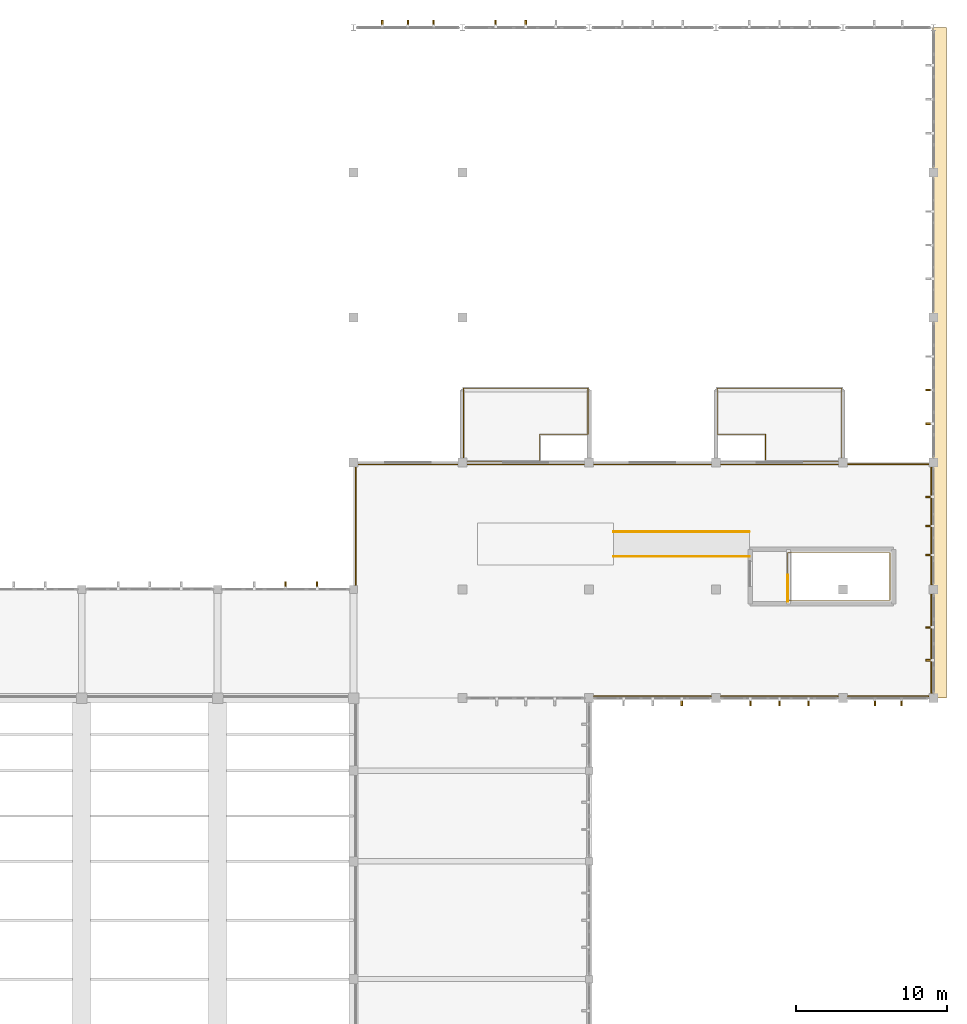
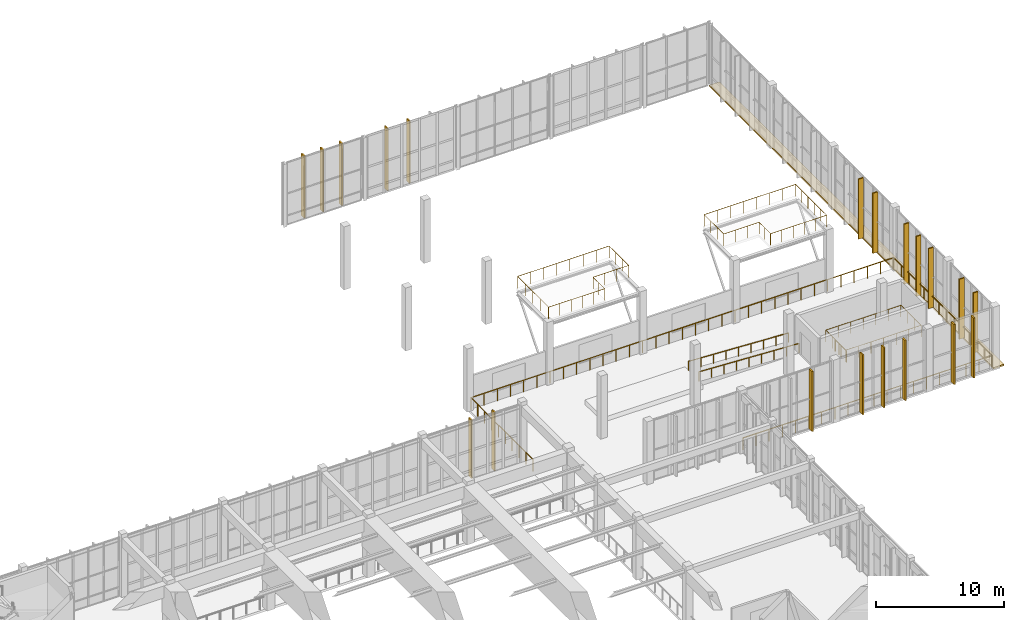
# One storey, part 104 of 105: 21 coverings, 7 railings.
"""IFC4 building model written with IfcOpenShell, lengths in metres."""

from ifc_helpers import new_model, si_unit, direction, frame, origin, origin_2d, place, context, subcontext, project, spatial, polyline, rectangle, circle, outline, extrude, material, layer, layer_set, type_object, element, save


model = new_model("IFC4")

# Units and contexts
model_context = context("Model", 3, precision=1e-05, world=origin(), true_north=direction((0.0, 1.0)))
body_context = subcontext(model_context, "Body", "Model", "MODEL_VIEW")
ifc_project = project(units=[si_unit("LENGTHUNIT", "METRE"), si_unit("AREAUNIT", "SQUARE_METRE"), si_unit("VOLUMEUNIT", "CUBIC_METRE"), si_unit("PLANEANGLEUNIT", "RADIAN"), si_unit("MASSUNIT", "GRAM", prefix="KILO")], contexts=[model_context])

# Site, building, storey
site_placement = place(None, origin())
site = spatial("IfcSite", under=ifc_project, at=site_placement, CompositionType="ELEMENT")
building_placement = place(site_placement, origin())
building = spatial("IfcBuilding", under=site, at=building_placement, Name="Tizgana Railside Sports Hall", CompositionType="ELEMENT")
storey_placement = place(building_placement, frame((0.0, 0.0, 6.0)))
storey = spatial("IfcBuildingStorey", under=building, at=storey_placement, Name="L01", CompositionType="ELEMENT", Elevation=6.0)

# Coverings
ifc_material_1 = material(Name="Glulam GL28h", Category="wood")
ifc_layer_1 = layer(ifc_material_1, 0.139892578125, Name="Glulam GL28h")
ifc_layer_set_1 = layer_set([ifc_layer_1], Name="Glulam GL28h")
covering_type_1 = type_object("IfcCoveringType", Name="Mass-Timber Brise-Soleil & Pergola Fin", PredefinedType="CLADDING", material=ifc_layer_set_1)
for number, where, z_axis, x_axis, name in (
    (1, (129.300048828125, 80.679931640625, 0.0400390625), (0.0, 0.0, 1.0), (1.0, 0.0, 0.0), "L01 Timber Brise-Soleil Fin"),
    (2, (131.385009765625, 80.679931640625, 0.0400390625), (0.0, 0.0, 1.0), (1.0, 0.0, 0.0), "L01 Timber Brise-Soleil Fin"),
):
    element("IfcCovering", number, at=place(storey_placement, frame(where, z_axis=z_axis, x_axis=x_axis)), inside=storey, type_object=covering_type_1, Name=name, PredefinedType="CLADDING", context=body_context, shape_type="SweptSolid", body=[
        extrude(rectangle(XDim=0.1201171875, YDim=0.43994140625, at=origin_2d()), origin(), (0.0, 0.0, 1.0), 5.56005859375),
    ])
for number, where, z_axis, x_axis, name in (
    (3, (135.702392578125, 117.8798828125, 0.0400390625), (0.0, 0.0, 1.0), (1.0, 0.0, 0.0), "L01 Timber Brise-Soleil Fin"),
    (4, (137.39990234375, 117.8798828125, 0.0400390625), (0.0, 0.0, 1.0), (1.0, 0.0, 0.0), "L01 Timber Brise-Soleil Fin"),
    (5, (139.097412109375, 117.8798828125, 0.0400390625), (0.0, 0.0, 1.0), (1.0, 0.0, 0.0), "L01 Timber Brise-Soleil Fin"),
    (6, (143.202392578125, 117.8798828125, 0.0400390625), (0.0, 0.0, 1.0), (1.0, 0.0, 0.0), "L01 Timber Brise-Soleil Fin"),
    (7, (145.199951171875, 117.8798828125, 0.0400390625), (0.0, 0.0, 1.0), (1.0, 0.0, 0.0), "L01 Timber Brise-Soleil Fin"),
):
    element("IfcCovering", number, at=place(storey_placement, frame(where, z_axis=z_axis, x_axis=x_axis)), inside=storey, type_object=covering_type_1, Name=name, PredefinedType="CLADDING", context=body_context, shape_type="SweptSolid", body=[
        extrude(rectangle(XDim=0.1201171875, YDim=0.43994140625, at=origin_2d()), origin(), (0.0, 0.0, 1.0), 5.919921875),
    ])
for number, where, z_axis, x_axis, name in (
    (8, (171.919921875, 75.71826171875, 0.0400390625), (0.0, 0.0, 1.0), (0.0, 1.0, 0.0), "L01 Timber Brise-Soleil Fin"),
    (9, (171.919921875, 77.881591796875, 0.0400390625), (0.0, 0.0, 1.0), (0.0, 1.0, 0.0), "L01 Timber Brise-Soleil Fin"),
    (10, (171.919921875, 82.677490234375, 0.0400390625), (0.0, 0.0, 1.0), (0.0, 1.0, 0.0), "L01 Timber Brise-Soleil Fin"),
    (11, (171.919921875, 84.60009765625, 0.0400390625), (0.0, 0.0, 1.0), (0.0, 1.0, 0.0), "L01 Timber Brise-Soleil Fin"),
    (12, (171.919921875, 86.5224609375, 0.0400390625), (0.0, 0.0, 1.0), (0.0, 1.0, 0.0), "L01 Timber Brise-Soleil Fin"),
    (13, (171.919921875, 91.37744140625, 0.0400390625), (0.0, 0.0, 1.0), (0.0, 1.0, 0.0), "L01 Timber Brise-Soleil Fin"),
    (14, (171.919921875, 93.60009765625, 0.0400390625), (0.0, 0.0, 1.0), (0.0, 1.0, 0.0), "L01 Timber Brise-Soleil Fin"),
    (15, (155.5224609375, 72.919921875, 0.0400390625), (0.0, 0.0, 1.0), (-1.0, 0.0, 0.0), "L01 Timber Brise-Soleil Fin"),
    (16, (163.922607421875, 72.919921875, 0.0400390625), (0.0, 0.0, 1.0), (-1.0, 0.0, 0.0), "L01 Timber Brise-Soleil Fin"),
    (17, (162.0, 72.919921875, 0.0400390625), (0.0, 0.0, 1.0), (-1.0, 0.0, 0.0), "L01 Timber Brise-Soleil Fin"),
    (18, (160.077392578125, 72.919921875, 0.0400390625), (0.0, 0.0, 1.0), (-1.0, 0.0, 0.0), "L01 Timber Brise-Soleil Fin"),
    (19, (170.081787109375, 72.919921875, 0.0400390625), (0.0, 0.0, 1.0), (-1.0, 0.0, 0.0), "L01 Timber Brise-Soleil Fin"),
    (20, (168.318359375, 72.919921875, 0.0400390625), (0.0, 0.0, 1.0), (-1.0, 0.0, 0.0), "L01 Timber Brise-Soleil Fin"),
):
    element("IfcCovering", number, at=place(storey_placement, frame(where, z_axis=z_axis, x_axis=x_axis)), inside=storey, type_object=covering_type_1, Name=name, PredefinedType="CLADDING", context=body_context, shape_type="SweptSolid", body=[
        extrude(rectangle(XDim=0.1201171875, YDim=0.43994140625, at=origin_2d()), origin(), (0.0, 0.0, 1.0), 5.719970703125),
    ])

# Railings
ifc_material_2 = material(Name="Galvanised steel sheet", Category="steel")
railing_type_1 = type_object("IfcRailingType", Name="Safety Balustrade Guard 1100", PredefinedType="BALUSTRADE", material=ifc_material_2)
railing_1_placement = place(storey_placement, frame((162.550048828125, 79.60009765625, 0.0)))
element("IfcRailing", 21, at=railing_1_placement, inside=storey, type_object=railing_type_1, Name="L01 ST-09 top well guard 1", PredefinedType="BALUSTRADE", context=body_context, shape_type="SweptSolid", body=[
    extrude(circle(Radius=0.02392578125, at=origin_2d()), frame((0.0, 0.0, 1.076171875), z_axis=(0.0, 1.0, 0.0), x_axis=(-1.0, 0.0, 0.0)), (0.0, 0.0, 1.0), 1.75),
    extrude(circle(Radius=0.02099609375, at=origin_2d()), origin(), (0.0, 0.0, 1.0), 1.052001953125),
    extrude(circle(Radius=0.02099609375, at=origin_2d()), frame((0.0, 0.875, 0.0)), (0.0, 0.0, 1.0), 1.052001953125),
    extrude(circle(Radius=0.02099609375, at=origin_2d()), frame((0.0, 1.75, 0.0)), (0.0, 0.0, 1.0), 1.052001953125),
])
railing_2_placement = place(storey_placement, frame((162.550048828125, 79.679931640625, 0.0)))
element("IfcRailing", 22, at=railing_2_placement, inside=storey, type_object=railing_type_1, Name="L01 ST-09 Well Guard", PredefinedType="BALUSTRADE", context=body_context, shape_type="SweptSolid", body=[
    extrude(circle(Radius=0.02392578125, at=origin_2d()), frame((0.0, 0.0, 1.09619140625), z_axis=(1.0, 0.0, 0.0), x_axis=(0.0, 1.0, 0.0)), (0.0, 0.0, 1.0), 6.77001953125),
    extrude(circle(Radius=0.02392578125, at=origin_2d()), frame((6.77001953125, 0.0, 1.09619140625), z_axis=(0.0, 1.0, 0.0), x_axis=(-1.0, 0.0, 0.0)), (0.0, 0.0, 1.0), 3.14013671875),
    extrude(circle(Radius=0.02392578125, at=origin_2d()), frame((6.77001953125, 3.14013671875, 1.09619140625), z_axis=(-1.0, 0.0, 0.0), x_axis=(0.0, -1.0, 0.0)), (0.0, 0.0, 1.0), 6.77001953125),
    extrude(circle(Radius=0.02392578125, at=origin_2d()), frame((0.0, 3.14013671875, 1.09619140625), z_axis=(0.0, -1.0, 0.0), x_axis=(1.0, 0.0, 0.0)), (0.0, 0.0, 1.0), 3.080078125),
    extrude(circle(Radius=0.02099609375, at=origin_2d()), origin(), (0.0, 0.0, 1.0), 1.072021484375),
    extrude(circle(Radius=0.02099609375, at=origin_2d()), frame((1.12841796875, 0.0, 0.0)), (0.0, 0.0, 1.0), 1.072021484375),
    extrude(circle(Radius=0.02099609375, at=origin_2d()), frame((2.256591796875, 0.0, 0.0)), (0.0, 0.0, 1.0), 1.072021484375),
    extrude(circle(Radius=0.02099609375, at=origin_2d()), frame((3.385009765625, 0.0, 0.0)), (0.0, 0.0, 1.0), 1.072021484375),
    extrude(circle(Radius=0.02099609375, at=origin_2d()), frame((4.513427734375, 0.0, 0.0)), (0.0, 0.0, 1.0), 1.072021484375),
    extrude(circle(Radius=0.02099609375, at=origin_2d()), frame((5.6416015625, 0.0, 0.0)), (0.0, 0.0, 1.0), 1.072021484375),
    extrude(circle(Radius=0.02099609375, at=origin_2d()), frame((6.77001953125, 0.0, 0.0)), (0.0, 0.0, 1.0), 1.072021484375),
    extrude(circle(Radius=0.02099609375, at=origin_2d()), frame((6.77001953125, 1.046630859375, 0.0)), (0.0, 0.0, 1.0), 1.072021484375),
    extrude(circle(Radius=0.02099609375, at=origin_2d()), frame((6.77001953125, 2.093505859375, 0.0)), (0.0, 0.0, 1.0), 1.072021484375),
    extrude(circle(Radius=0.02099609375, at=origin_2d()), frame((6.77001953125, 3.14013671875, 0.0)), (0.0, 0.0, 1.0), 1.072021484375),
    extrude(circle(Radius=0.02099609375, at=origin_2d()), frame((5.6416015625, 3.14013671875, 0.0)), (0.0, 0.0, 1.0), 1.072021484375),
    extrude(circle(Radius=0.02099609375, at=origin_2d()), frame((4.513427734375, 3.14013671875, 0.0)), (0.0, 0.0, 1.0), 1.072021484375),
    extrude(circle(Radius=0.02099609375, at=origin_2d()), frame((3.385009765625, 3.14013671875, 0.0)), (0.0, 0.0, 1.0), 1.072021484375),
    extrude(circle(Radius=0.02099609375, at=origin_2d()), frame((2.256591796875, 3.14013671875, 0.0)), (0.0, 0.0, 1.0), 1.072021484375),
    extrude(circle(Radius=0.02099609375, at=origin_2d()), frame((1.12841796875, 3.14013671875, 0.0)), (0.0, 0.0, 1.0), 1.072021484375),
    extrude(circle(Radius=0.02099609375, at=origin_2d()), frame((0.0, 3.14013671875, 0.0)), (0.0, 0.0, 1.0), 1.072021484375),
    extrude(circle(Radius=0.02099609375, at=origin_2d()), frame((0.0, 2.113525390625, 0.0)), (0.0, 0.0, 1.0), 1.072021484375),
    extrude(circle(Radius=0.02099609375, at=origin_2d()), frame((0.0, 1.086669921875, 0.0)), (0.0, 0.0, 1.0), 1.072021484375),
    extrude(circle(Radius=0.02099609375, at=origin_2d()), frame((0.0, 0.06005859375, 0.0)), (0.0, 0.0, 1.0), 1.072021484375),
])
ifc_material_3 = material(Name="Brushed stainless steel", Category="steel")
railing_type_2 = type_object("IfcRailingType", Name="Stair & Ramp Wall Handrail 900", PredefinedType="HANDRAIL", material=ifc_material_3)
for number, where, name in (
    (23, (160.0, 82.580078125, 0.0), "L01 Ramp Handrail RHR-0009"),
    (24, (160.0, 84.219970703125, 0.0), "L01 Ramp Handrail RHR-0010"),
):
    element("IfcRailing", number, at=place(storey_placement, frame(where)), inside=storey, type_object=railing_type_2, Name=name, PredefinedType="HANDRAIL", context=body_context, shape_type="SweptSolid", body=[
        extrude(circle(Radius=0.02392578125, at=origin_2d()), frame((0.0, 0.0, 0.8759765625), z_axis=(-0.998752609117, 0.0, 0.049932211876), x_axis=(0.0, -1.0, 0.0)), (0.0, 0.0, 1.0), 9.01123046875),
        extrude(circle(Radius=0.02099609375, at=origin_2d()), origin(), (0.0, 0.0, 1.0), 0.851806640625),
        extrude(circle(Radius=0.02099609375, at=origin_2d()), frame((-1.125, 0.0, 0.05615234375)), (0.0, 0.0, 1.0), 0.851806640625),
        extrude(circle(Radius=0.02099609375, at=origin_2d()), frame((-2.25, 0.0, 0.112548828125)), (0.0, 0.0, 1.0), 0.851806640625),
        extrude(circle(Radius=0.02099609375, at=origin_2d()), frame((-3.375, 0.0, 0.168701171875)), (0.0, 0.0, 1.0), 0.851806640625),
        extrude(circle(Radius=0.02099609375, at=origin_2d()), frame((-4.5, 0.0, 0.22509765625)), (0.0, 0.0, 1.0), 0.851806640625),
        extrude(circle(Radius=0.02099609375, at=origin_2d()), frame((-5.625, 0.0, 0.28125)), (0.0, 0.0, 1.0), 0.851806640625),
        extrude(circle(Radius=0.02099609375, at=origin_2d()), frame((-6.75, 0.0, 0.33740234375)), (0.0, 0.0, 1.0), 0.851806640625),
        extrude(circle(Radius=0.02099609375, at=origin_2d()), frame((-7.875, 0.0, 0.393798828125)), (0.0, 0.0, 1.0), 0.851806640625),
        extrude(circle(Radius=0.02099609375, at=origin_2d()), frame((-9.0, 0.0, 0.449951171875)), (0.0, 0.0, 1.0), 0.851806640625),
    ])

# Covering
ifc_material_4 = material(Name="Anodised aluminium roofing", Category="aluminium")
ifc_layer_2 = layer(ifc_material_4, 0.080078125, Name="Anodised aluminium roofing")
ifc_layer_set_2 = layer_set([ifc_layer_2], Name="Anodised aluminium roofing")
covering_type_2 = type_object("IfcCoveringType", Name="Standing-Seam Insulated Vault Roofing", PredefinedType="ROOFING", material=ifc_layer_set_2)
covering_placement = place(storey_placement, frame((0.0, 0.0, -0.139892578125)))
element("IfcCovering", 25, at=covering_placement, inside=storey, type_object=covering_type_2, Name="L01 East Sun Canopy", PredefinedType="ROOFING", context=body_context, shape_type="SweptSolid", body=[
    extrude(outline(polyline([(172.1201171875, 73.199951171875), (173.050048828125, 73.199951171875), (173.050048828125, 117.60009765625), (172.1201171875, 117.60009765625), (172.1201171875, 73.199951171875)])), origin(), (0.0, 0.0, 1.0), 0.139892578125),
])

# Railings
ifc_material_5 = material(Name="Anodised aluminium", Category="aluminium")
railing_type_3 = type_object("IfcRailingType", Name="Terrace & Track Guard 1150", PredefinedType="BALUSTRADE", material=ifc_material_5)
railing_3_placement = place(storey_placement, frame((141.080078125, 88.8798828125, 6.0)))
element("IfcRailing", 26, at=railing_3_placement, inside=storey, type_object=railing_type_3, Name="L01 V3 Belay Ledge W Guard", PredefinedType="BALUSTRADE", context=body_context, shape_type="SweptSolid", body=[
    extrude(circle(Radius=0.02392578125, at=origin_2d()), frame((0.0, 0.0, 1.1259765625), z_axis=(1.0, 0.0, 0.0), x_axis=(0.0, 1.0, 0.0)), (0.0, 0.0, 1.0), 5.0400390625),
    extrude(circle(Radius=0.02392578125, at=origin_2d()), frame((5.0400390625, 0.0, 1.1259765625), z_axis=(0.0, 1.0, 0.0), x_axis=(-1.0, 0.0, 0.0)), (0.0, 0.0, 1.0), 1.800048828125),
    extrude(circle(Radius=0.02392578125, at=origin_2d()), frame((5.0400390625, 1.800048828125, 1.1259765625), z_axis=(1.0, 0.0, 0.0), x_axis=(0.0, 1.0, 0.0)), (0.0, 0.0, 1.0), 3.199951171875),
    extrude(circle(Radius=0.02392578125, at=origin_2d()), frame((8.239990234375, 1.800048828125, 1.1259765625), z_axis=(0.0, 1.0, 0.0), x_axis=(-1.0, 0.0, 0.0)), (0.0, 0.0, 1.0), 3.0400390625),
    extrude(circle(Radius=0.02392578125, at=origin_2d()), frame((8.239990234375, 4.840087890625, 1.1259765625), z_axis=(-1.0, 0.0, 0.0), x_axis=(0.0, -1.0, 0.0)), (0.0, 0.0, 1.0), 8.239990234375),
    extrude(circle(Radius=0.02392578125, at=origin_2d()), frame((0.0, 4.840087890625, 1.1259765625), z_axis=(0.0, -1.0, 0.0), x_axis=(1.0, 0.0, 0.0)), (0.0, 0.0, 1.0), 4.760009765625),
    extrude(circle(Radius=0.02099609375, at=origin_2d()), origin(), (0.0, 0.0, 1.0), 1.101806640625),
    extrude(circle(Radius=0.02099609375, at=origin_2d()), frame((1.008056640625, 0.0, 0.0)), (0.0, 0.0, 1.0), 1.101806640625),
    extrude(circle(Radius=0.02099609375, at=origin_2d()), frame((2.01611328125, 0.0, 0.0)), (0.0, 0.0, 1.0), 1.101806640625),
    extrude(circle(Radius=0.02099609375, at=origin_2d()), frame((3.02392578125, 0.0, 0.0)), (0.0, 0.0, 1.0), 1.101806640625),
    extrude(circle(Radius=0.02099609375, at=origin_2d()), frame((4.031982421875, 0.0, 0.0)), (0.0, 0.0, 1.0), 1.101806640625),
    extrude(circle(Radius=0.02099609375, at=origin_2d()), frame((5.0400390625, 0.0, 0.0)), (0.0, 0.0, 1.0), 1.101806640625),
    extrude(circle(Radius=0.02099609375, at=origin_2d()), frame((5.0400390625, 0.89990234375, 0.0)), (0.0, 0.0, 1.0), 1.101806640625),
    extrude(circle(Radius=0.02099609375, at=origin_2d()), frame((5.0400390625, 1.800048828125, 0.0)), (0.0, 0.0, 1.0), 1.101806640625),
    extrude(circle(Radius=0.02099609375, at=origin_2d()), frame((6.106689453125, 1.800048828125, 0.0)), (0.0, 0.0, 1.0), 1.101806640625),
    extrude(circle(Radius=0.02099609375, at=origin_2d()), frame((7.17333984375, 1.800048828125, 0.0)), (0.0, 0.0, 1.0), 1.101806640625),
    extrude(circle(Radius=0.02099609375, at=origin_2d()), frame((8.239990234375, 1.800048828125, 0.0)), (0.0, 0.0, 1.0), 1.101806640625),
    extrude(circle(Radius=0.02099609375, at=origin_2d()), frame((8.239990234375, 2.8134765625, 0.0)), (0.0, 0.0, 1.0), 1.101806640625),
    extrude(circle(Radius=0.02099609375, at=origin_2d()), frame((8.239990234375, 3.82666015625, 0.0)), (0.0, 0.0, 1.0), 1.101806640625),
    extrude(circle(Radius=0.02099609375, at=origin_2d()), frame((8.239990234375, 4.840087890625, 0.0)), (0.0, 0.0, 1.0), 1.101806640625),
    extrude(circle(Radius=0.02099609375, at=origin_2d()), frame((7.062744140625, 4.840087890625, 0.0)), (0.0, 0.0, 1.0), 1.101806640625),
    extrude(circle(Radius=0.02099609375, at=origin_2d()), frame((5.8857421875, 4.840087890625, 0.0)), (0.0, 0.0, 1.0), 1.101806640625),
    extrude(circle(Radius=0.02099609375, at=origin_2d()), frame((4.70849609375, 4.840087890625, 0.0)), (0.0, 0.0, 1.0), 1.101806640625),
    extrude(circle(Radius=0.02099609375, at=origin_2d()), frame((3.531494140625, 4.840087890625, 0.0)), (0.0, 0.0, 1.0), 1.101806640625),
    extrude(circle(Radius=0.02099609375, at=origin_2d()), frame((2.354248046875, 4.840087890625, 0.0)), (0.0, 0.0, 1.0), 1.101806640625),
    extrude(circle(Radius=0.02099609375, at=origin_2d()), frame((1.17724609375, 4.840087890625, 0.0)), (0.0, 0.0, 1.0), 1.101806640625),
    extrude(circle(Radius=0.02099609375, at=origin_2d()), frame((0.0, 4.840087890625, 0.0)), (0.0, 0.0, 1.0), 1.101806640625),
    extrude(circle(Radius=0.02099609375, at=origin_2d()), frame((0.0, 3.650146484375, 0.0)), (0.0, 0.0, 1.0), 1.101806640625),
    extrude(circle(Radius=0.02099609375, at=origin_2d()), frame((0.0, 2.4599609375, 0.0)), (0.0, 0.0, 1.0), 1.101806640625),
    extrude(circle(Radius=0.02099609375, at=origin_2d()), frame((0.0, 1.27001953125, 0.0)), (0.0, 0.0, 1.0), 1.101806640625),
    extrude(circle(Radius=0.02099609375, at=origin_2d()), frame((0.0, 0.080078125, 0.0)), (0.0, 0.0, 1.0), 1.101806640625),
])
railing_4_placement = place(storey_placement, frame((161.080078125, 88.8798828125, 6.0)))
element("IfcRailing", 27, at=railing_4_placement, inside=storey, type_object=railing_type_3, Name="L01 V3 Belay Ledge E Guard", PredefinedType="BALUSTRADE", context=body_context, shape_type="SweptSolid", body=[
    extrude(circle(Radius=0.02392578125, at=origin_2d()), frame((0.0, 0.0, 1.1259765625), z_axis=(1.0, 0.0, 0.0), x_axis=(0.0, 1.0, 0.0)), (0.0, 0.0, 1.0), 5.0400390625),
    extrude(circle(Radius=0.02392578125, at=origin_2d()), frame((5.0400390625, 0.0, 1.1259765625), z_axis=(0.0, 1.0, 0.0), x_axis=(-1.0, 0.0, 0.0)), (0.0, 0.0, 1.0), 4.840087890625),
    extrude(circle(Radius=0.02392578125, at=origin_2d()), frame((5.0400390625, 4.840087890625, 1.1259765625), z_axis=(-1.0, 0.0, 0.0), x_axis=(0.0, -1.0, 0.0)), (0.0, 0.0, 1.0), 8.240234375),
    extrude(circle(Radius=0.02392578125, at=origin_2d()), frame((-3.2001953125, 4.840087890625, 1.1259765625), z_axis=(0.0, -1.0, 0.0), x_axis=(1.0, 0.0, 0.0)), (0.0, 0.0, 1.0), 3.0400390625),
    extrude(circle(Radius=0.02392578125, at=origin_2d()), frame((-3.2001953125, 1.800048828125, 1.1259765625), z_axis=(1.0, 0.0, 0.0), x_axis=(0.0, 1.0, 0.0)), (0.0, 0.0, 1.0), 3.2001953125),
    extrude(circle(Radius=0.02392578125, at=origin_2d()), frame((0.0, 1.800048828125, 1.1259765625), z_axis=(0.0, -1.0, 0.0), x_axis=(1.0, 0.0, 0.0)), (0.0, 0.0, 1.0), 1.719970703125),
    extrude(circle(Radius=0.02099609375, at=origin_2d()), origin(), (0.0, 0.0, 1.0), 1.101806640625),
    extrude(circle(Radius=0.02099609375, at=origin_2d()), frame((1.008056640625, 0.0, 0.0)), (0.0, 0.0, 1.0), 1.101806640625),
    extrude(circle(Radius=0.02099609375, at=origin_2d()), frame((2.01611328125, 0.0, 0.0)), (0.0, 0.0, 1.0), 1.101806640625),
    extrude(circle(Radius=0.02099609375, at=origin_2d()), frame((3.02392578125, 0.0, 0.0)), (0.0, 0.0, 1.0), 1.101806640625),
    extrude(circle(Radius=0.02099609375, at=origin_2d()), frame((4.031982421875, 0.0, 0.0)), (0.0, 0.0, 1.0), 1.101806640625),
    extrude(circle(Radius=0.02099609375, at=origin_2d()), frame((5.0400390625, 0.0, 0.0)), (0.0, 0.0, 1.0), 1.101806640625),
    extrude(circle(Radius=0.02099609375, at=origin_2d()), frame((5.0400390625, 0.968017578125, 0.0)), (0.0, 0.0, 1.0), 1.101806640625),
    extrude(circle(Radius=0.02099609375, at=origin_2d()), frame((5.0400390625, 1.93603515625, 0.0)), (0.0, 0.0, 1.0), 1.101806640625),
    extrude(circle(Radius=0.02099609375, at=origin_2d()), frame((5.0400390625, 2.904052734375, 0.0)), (0.0, 0.0, 1.0), 1.101806640625),
    extrude(circle(Radius=0.02099609375, at=origin_2d()), frame((5.0400390625, 3.8720703125, 0.0)), (0.0, 0.0, 1.0), 1.101806640625),
    extrude(circle(Radius=0.02099609375, at=origin_2d()), frame((5.0400390625, 4.840087890625, 0.0)), (0.0, 0.0, 1.0), 1.101806640625),
    extrude(circle(Radius=0.02099609375, at=origin_2d()), frame((3.86279296875, 4.840087890625, 0.0)), (0.0, 0.0, 1.0), 1.101806640625),
    extrude(circle(Radius=0.02099609375, at=origin_2d()), frame((2.685791015625, 4.840087890625, 0.0)), (0.0, 0.0, 1.0), 1.101806640625),
    extrude(circle(Radius=0.02099609375, at=origin_2d()), frame((1.508544921875, 4.840087890625, 0.0)), (0.0, 0.0, 1.0), 1.101806640625),
    extrude(circle(Radius=0.02099609375, at=origin_2d()), frame((0.331298828125, 4.840087890625, 0.0)), (0.0, 0.0, 1.0), 1.101806640625),
    extrude(circle(Radius=0.02099609375, at=origin_2d()), frame((-0.845947265625, 4.840087890625, 0.0)), (0.0, 0.0, 1.0), 1.101806640625),
    extrude(circle(Radius=0.02099609375, at=origin_2d()), frame((-2.02294921875, 4.840087890625, 0.0)), (0.0, 0.0, 1.0), 1.101806640625),
    extrude(circle(Radius=0.02099609375, at=origin_2d()), frame((-3.2001953125, 4.840087890625, 0.0)), (0.0, 0.0, 1.0), 1.101806640625),
    extrude(circle(Radius=0.02099609375, at=origin_2d()), frame((-3.2001953125, 3.82666015625, 0.0)), (0.0, 0.0, 1.0), 1.101806640625),
    extrude(circle(Radius=0.02099609375, at=origin_2d()), frame((-3.2001953125, 2.8134765625, 0.0)), (0.0, 0.0, 1.0), 1.101806640625),
    extrude(circle(Radius=0.02099609375, at=origin_2d()), frame((-3.2001953125, 1.800048828125, 0.0)), (0.0, 0.0, 1.0), 1.101806640625),
    extrude(circle(Radius=0.02099609375, at=origin_2d()), frame((-2.133544921875, 1.800048828125, 0.0)), (0.0, 0.0, 1.0), 1.101806640625),
    extrude(circle(Radius=0.02099609375, at=origin_2d()), frame((-1.066650390625, 1.800048828125, 0.0)), (0.0, 0.0, 1.0), 1.101806640625),
    extrude(circle(Radius=0.02099609375, at=origin_2d()), frame((0.0, 1.800048828125, 0.0)), (0.0, 0.0, 1.0), 1.101806640625),
    extrude(circle(Radius=0.02099609375, at=origin_2d()), frame((0.0, 0.93994140625, 0.0)), (0.0, 0.0, 1.0), 1.101806640625),
    extrude(circle(Radius=0.02099609375, at=origin_2d()), frame((0.0, 0.080078125, 0.0)), (0.0, 0.0, 1.0), 1.101806640625),
])
railing_5_placement = place(storey_placement, frame((133.949951171875, 79.0, 0.0)))
element("IfcRailing", 28, at=railing_5_placement, inside=storey, type_object=railing_type_3, Name="L01 Safety Guard GRD-0022", PredefinedType="BALUSTRADE", context=body_context, shape_type="SweptSolid", body=[
    extrude(circle(Radius=0.02392578125, at=origin_2d()), frame((0.0, 0.0, 1.1259765625), z_axis=(0.0, 1.0, 0.0), x_axis=(-1.0, 0.0, 0.0)), (0.0, 0.0, 1.0), 9.679931640625),
    extrude(circle(Radius=0.02392578125, at=origin_2d()), frame((0.0, 9.679931640625, 1.1259765625), z_axis=(1.0, 0.0, 0.0), x_axis=(0.0, 1.0, 0.0)), (0.0, 0.0, 1.0), 38.10009765625),
    extrude(circle(Radius=0.02392578125, at=origin_2d()), frame((38.10009765625, 9.679931640625, 1.1259765625), z_axis=(0.0, -1.0, 0.0), x_axis=(1.0, 0.0, 0.0)), (0.0, 0.0, 1.0), 15.35986328125),
    extrude(circle(Radius=0.02392578125, at=origin_2d()), frame((38.10009765625, -5.679931640625, 1.1259765625), z_axis=(-1.0, 0.0, 0.0), x_axis=(0.0, -1.0, 0.0)), (0.0, 0.0, 1.0), 22.449951171875),
    extrude(circle(Radius=0.02099609375, at=origin_2d()), origin(), (0.0, 0.0, 1.0), 1.101806640625),
    extrude(circle(Radius=0.02099609375, at=origin_2d()), frame((0.0, 1.075439453125, 0.0)), (0.0, 0.0, 1.0), 1.101806640625),
    extrude(circle(Radius=0.02099609375, at=origin_2d()), frame((0.0, 2.151123046875, 0.0)), (0.0, 0.0, 1.0), 1.101806640625),
    extrude(circle(Radius=0.02099609375, at=origin_2d()), frame((0.0, 3.2265625, 0.0)), (0.0, 0.0, 1.0), 1.101806640625),
    extrude(circle(Radius=0.02099609375, at=origin_2d()), frame((0.0, 4.30224609375, 0.0)), (0.0, 0.0, 1.0), 1.101806640625),
    extrude(circle(Radius=0.02099609375, at=origin_2d()), frame((0.0, 5.377685546875, 0.0)), (0.0, 0.0, 1.0), 1.101806640625),
    extrude(circle(Radius=0.02099609375, at=origin_2d()), frame((0.0, 6.453369140625, 0.0)), (0.0, 0.0, 1.0), 1.101806640625),
    extrude(circle(Radius=0.02099609375, at=origin_2d()), frame((0.0, 7.52880859375, 0.0)), (0.0, 0.0, 1.0), 1.101806640625),
    extrude(circle(Radius=0.02099609375, at=origin_2d()), frame((0.0, 8.6044921875, 0.0)), (0.0, 0.0, 1.0), 1.101806640625),
    extrude(circle(Radius=0.02099609375, at=origin_2d()), frame((0.0, 9.679931640625, 0.0)), (0.0, 0.0, 1.0), 1.101806640625),
    extrude(circle(Radius=0.02099609375, at=origin_2d()), frame((1.190673828125, 9.679931640625, 0.0)), (0.0, 0.0, 1.0), 1.101806640625),
    extrude(circle(Radius=0.02099609375, at=origin_2d()), frame((2.38134765625, 9.679931640625, 0.0)), (0.0, 0.0, 1.0), 1.101806640625),
    extrude(circle(Radius=0.02099609375, at=origin_2d()), frame((3.57177734375, 9.679931640625, 0.0)), (0.0, 0.0, 1.0), 1.101806640625),
    extrude(circle(Radius=0.02099609375, at=origin_2d()), frame((4.762451171875, 9.679931640625, 0.0)), (0.0, 0.0, 1.0), 1.101806640625),
    extrude(circle(Radius=0.02099609375, at=origin_2d()), frame((5.953125, 9.679931640625, 0.0)), (0.0, 0.0, 1.0), 1.101806640625),
    extrude(circle(Radius=0.02099609375, at=origin_2d()), frame((7.143798828125, 9.679931640625, 0.0)), (0.0, 0.0, 1.0), 1.101806640625),
    extrude(circle(Radius=0.02099609375, at=origin_2d()), frame((8.33447265625, 9.679931640625, 0.0)), (0.0, 0.0, 1.0), 1.101806640625),
    extrude(circle(Radius=0.02099609375, at=origin_2d()), frame((9.52490234375, 9.679931640625, 0.0)), (0.0, 0.0, 1.0), 1.101806640625),
    extrude(circle(Radius=0.02099609375, at=origin_2d()), frame((10.715576171875, 9.679931640625, 0.0)), (0.0, 0.0, 1.0), 1.101806640625),
    extrude(circle(Radius=0.02099609375, at=origin_2d()), frame((11.90625, 9.679931640625, 0.0)), (0.0, 0.0, 1.0), 1.101806640625),
    extrude(circle(Radius=0.02099609375, at=origin_2d()), frame((13.096923828125, 9.679931640625, 0.0)), (0.0, 0.0, 1.0), 1.101806640625),
    extrude(circle(Radius=0.02099609375, at=origin_2d()), frame((14.28759765625, 9.679931640625, 0.0)), (0.0, 0.0, 1.0), 1.101806640625),
    extrude(circle(Radius=0.02099609375, at=origin_2d()), frame((15.478271484375, 9.679931640625, 0.0)), (0.0, 0.0, 1.0), 1.101806640625),
    extrude(circle(Radius=0.02099609375, at=origin_2d()), frame((16.668701171875, 9.679931640625, 0.0)), (0.0, 0.0, 1.0), 1.101806640625),
    extrude(circle(Radius=0.02099609375, at=origin_2d()), frame((17.859375, 9.679931640625, 0.0)), (0.0, 0.0, 1.0), 1.101806640625),
    extrude(circle(Radius=0.02099609375, at=origin_2d()), frame((19.050048828125, 9.679931640625, 0.0)), (0.0, 0.0, 1.0), 1.101806640625),
    extrude(circle(Radius=0.02099609375, at=origin_2d()), frame((20.24072265625, 9.679931640625, 0.0)), (0.0, 0.0, 1.0), 1.101806640625),
    extrude(circle(Radius=0.02099609375, at=origin_2d()), frame((21.431396484375, 9.679931640625, 0.0)), (0.0, 0.0, 1.0), 1.101806640625),
    extrude(circle(Radius=0.02099609375, at=origin_2d()), frame((22.621826171875, 9.679931640625, 0.0)), (0.0, 0.0, 1.0), 1.101806640625),
    extrude(circle(Radius=0.02099609375, at=origin_2d()), frame((23.8125, 9.679931640625, 0.0)), (0.0, 0.0, 1.0), 1.101806640625),
    extrude(circle(Radius=0.02099609375, at=origin_2d()), frame((25.003173828125, 9.679931640625, 0.0)), (0.0, 0.0, 1.0), 1.101806640625),
    extrude(circle(Radius=0.02099609375, at=origin_2d()), frame((26.19384765625, 9.679931640625, 0.0)), (0.0, 0.0, 1.0), 1.101806640625),
    extrude(circle(Radius=0.02099609375, at=origin_2d()), frame((27.384521484375, 9.679931640625, 0.0)), (0.0, 0.0, 1.0), 1.101806640625),
    extrude(circle(Radius=0.02099609375, at=origin_2d()), frame((28.5751953125, 9.679931640625, 0.0)), (0.0, 0.0, 1.0), 1.101806640625),
    extrude(circle(Radius=0.02099609375, at=origin_2d()), frame((29.765625, 9.679931640625, 0.0)), (0.0, 0.0, 1.0), 1.101806640625),
    extrude(circle(Radius=0.02099609375, at=origin_2d()), frame((30.956298828125, 9.679931640625, 0.0)), (0.0, 0.0, 1.0), 1.101806640625),
    extrude(circle(Radius=0.02099609375, at=origin_2d()), frame((32.14697265625, 9.679931640625, 0.0)), (0.0, 0.0, 1.0), 1.101806640625),
    extrude(circle(Radius=0.02099609375, at=origin_2d()), frame((33.337646484375, 9.679931640625, 0.0)), (0.0, 0.0, 1.0), 1.101806640625),
    extrude(circle(Radius=0.02099609375, at=origin_2d()), frame((34.5283203125, 9.679931640625, 0.0)), (0.0, 0.0, 1.0), 1.101806640625),
    extrude(circle(Radius=0.02099609375, at=origin_2d()), frame((35.71875, 9.679931640625, 0.0)), (0.0, 0.0, 1.0), 1.101806640625),
    extrude(circle(Radius=0.02099609375, at=origin_2d()), frame((36.909423828125, 9.679931640625, 0.0)), (0.0, 0.0, 1.0), 1.101806640625),
    extrude(circle(Radius=0.02099609375, at=origin_2d()), frame((38.10009765625, 9.679931640625, 0.0)), (0.0, 0.0, 1.0), 1.101806640625),
    extrude(circle(Radius=0.02099609375, at=origin_2d()), frame((38.10009765625, 8.498291015625, 0.0)), (0.0, 0.0, 1.0), 1.101806640625),
    extrude(circle(Radius=0.02099609375, at=origin_2d()), frame((38.10009765625, 7.31689453125, 0.0)), (0.0, 0.0, 1.0), 1.101806640625),
    extrude(circle(Radius=0.02099609375, at=origin_2d()), frame((38.10009765625, 6.13525390625, 0.0)), (0.0, 0.0, 1.0), 1.101806640625),
    extrude(circle(Radius=0.02099609375, at=origin_2d()), frame((38.10009765625, 4.953857421875, 0.0)), (0.0, 0.0, 1.0), 1.101806640625),
    extrude(circle(Radius=0.02099609375, at=origin_2d()), frame((38.10009765625, 3.772216796875, 0.0)), (0.0, 0.0, 1.0), 1.101806640625),
    extrude(circle(Radius=0.02099609375, at=origin_2d()), frame((38.10009765625, 2.5908203125, 0.0)), (0.0, 0.0, 1.0), 1.101806640625),
    extrude(circle(Radius=0.02099609375, at=origin_2d()), frame((38.10009765625, 1.4091796875, 0.0)), (0.0, 0.0, 1.0), 1.101806640625),
    extrude(circle(Radius=0.02099609375, at=origin_2d()), frame((38.10009765625, 0.227783203125, 0.0)), (0.0, 0.0, 1.0), 1.101806640625),
    extrude(circle(Radius=0.02099609375, at=origin_2d()), frame((38.10009765625, -0.953857421875, 0.0)), (0.0, 0.0, 1.0), 1.101806640625),
    extrude(circle(Radius=0.02099609375, at=origin_2d()), frame((38.10009765625, -2.13525390625, 0.0)), (0.0, 0.0, 1.0), 1.101806640625),
    extrude(circle(Radius=0.02099609375, at=origin_2d()), frame((38.10009765625, -3.31689453125, 0.0)), (0.0, 0.0, 1.0), 1.101806640625),
    extrude(circle(Radius=0.02099609375, at=origin_2d()), frame((38.10009765625, -4.498291015625, 0.0)), (0.0, 0.0, 1.0), 1.101806640625),
    extrude(circle(Radius=0.02099609375, at=origin_2d()), frame((38.10009765625, -5.679931640625, 0.0)), (0.0, 0.0, 1.0), 1.101806640625),
    extrude(circle(Radius=0.02099609375, at=origin_2d()), frame((36.91845703125, -5.679931640625, 0.0)), (0.0, 0.0, 1.0), 1.101806640625),
    extrude(circle(Radius=0.02099609375, at=origin_2d()), frame((35.737060546875, -5.679931640625, 0.0)), (0.0, 0.0, 1.0), 1.101806640625),
    extrude(circle(Radius=0.02099609375, at=origin_2d()), frame((34.555419921875, -5.679931640625, 0.0)), (0.0, 0.0, 1.0), 1.101806640625),
    extrude(circle(Radius=0.02099609375, at=origin_2d()), frame((33.373779296875, -5.679931640625, 0.0)), (0.0, 0.0, 1.0), 1.101806640625),
    extrude(circle(Radius=0.02099609375, at=origin_2d()), frame((32.192138671875, -5.679931640625, 0.0)), (0.0, 0.0, 1.0), 1.101806640625),
    extrude(circle(Radius=0.02099609375, at=origin_2d()), frame((31.0107421875, -5.679931640625, 0.0)), (0.0, 0.0, 1.0), 1.101806640625),
    extrude(circle(Radius=0.02099609375, at=origin_2d()), frame((29.8291015625, -5.679931640625, 0.0)), (0.0, 0.0, 1.0), 1.101806640625),
    extrude(circle(Radius=0.02099609375, at=origin_2d()), frame((28.6474609375, -5.679931640625, 0.0)), (0.0, 0.0, 1.0), 1.101806640625),
    extrude(circle(Radius=0.02099609375, at=origin_2d()), frame((27.4658203125, -5.679931640625, 0.0)), (0.0, 0.0, 1.0), 1.101806640625),
    extrude(circle(Radius=0.02099609375, at=origin_2d()), frame((26.284423828125, -5.679931640625, 0.0)), (0.0, 0.0, 1.0), 1.101806640625),
    extrude(circle(Radius=0.02099609375, at=origin_2d()), frame((25.102783203125, -5.679931640625, 0.0)), (0.0, 0.0, 1.0), 1.101806640625),
    extrude(circle(Radius=0.02099609375, at=origin_2d()), frame((23.921142578125, -5.679931640625, 0.0)), (0.0, 0.0, 1.0), 1.101806640625),
    extrude(circle(Radius=0.02099609375, at=origin_2d()), frame((22.739501953125, -5.679931640625, 0.0)), (0.0, 0.0, 1.0), 1.101806640625),
    extrude(circle(Radius=0.02099609375, at=origin_2d()), frame((21.55810546875, -5.679931640625, 0.0)), (0.0, 0.0, 1.0), 1.101806640625),
    extrude(circle(Radius=0.02099609375, at=origin_2d()), frame((20.37646484375, -5.679931640625, 0.0)), (0.0, 0.0, 1.0), 1.101806640625),
    extrude(circle(Radius=0.02099609375, at=origin_2d()), frame((19.19482421875, -5.679931640625, 0.0)), (0.0, 0.0, 1.0), 1.101806640625),
    extrude(circle(Radius=0.02099609375, at=origin_2d()), frame((18.01318359375, -5.679931640625, 0.0)), (0.0, 0.0, 1.0), 1.101806640625),
    extrude(circle(Radius=0.02099609375, at=origin_2d()), frame((16.831787109375, -5.679931640625, 0.0)), (0.0, 0.0, 1.0), 1.101806640625),
    extrude(circle(Radius=0.02099609375, at=origin_2d()), frame((15.650146484375, -5.679931640625, 0.0)), (0.0, 0.0, 1.0), 1.101806640625),
])

save(model, "model.ifc")
